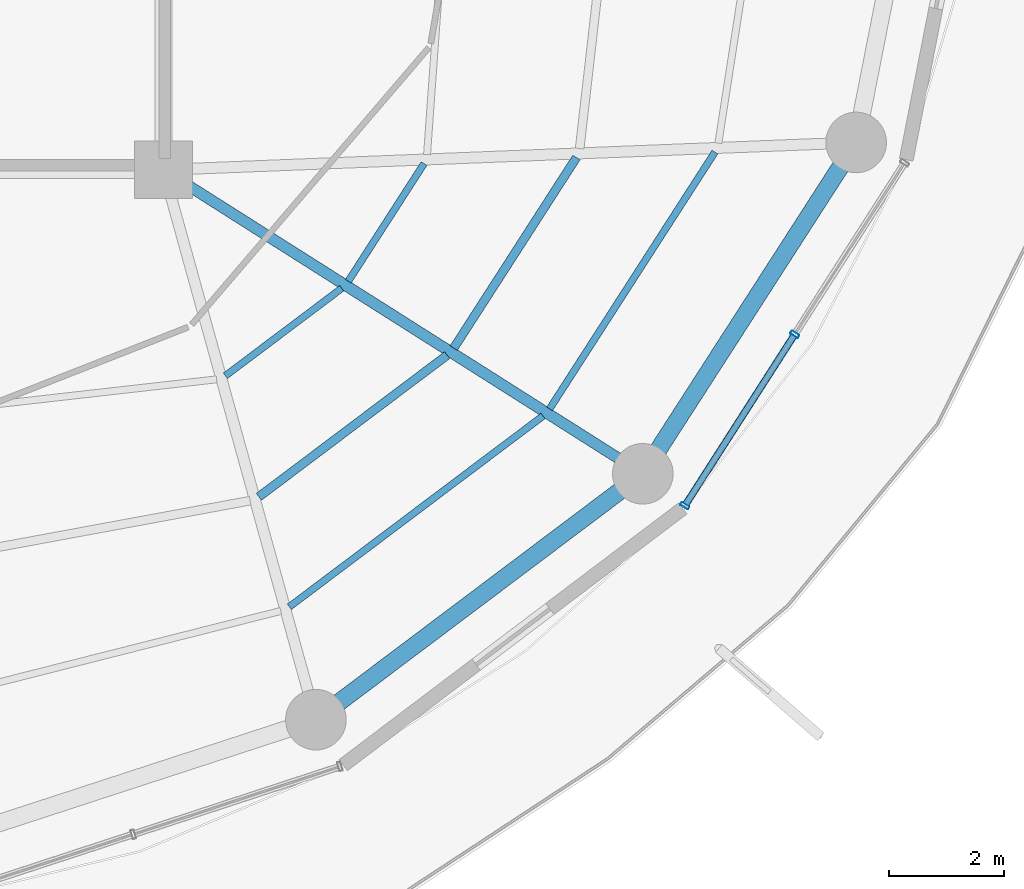
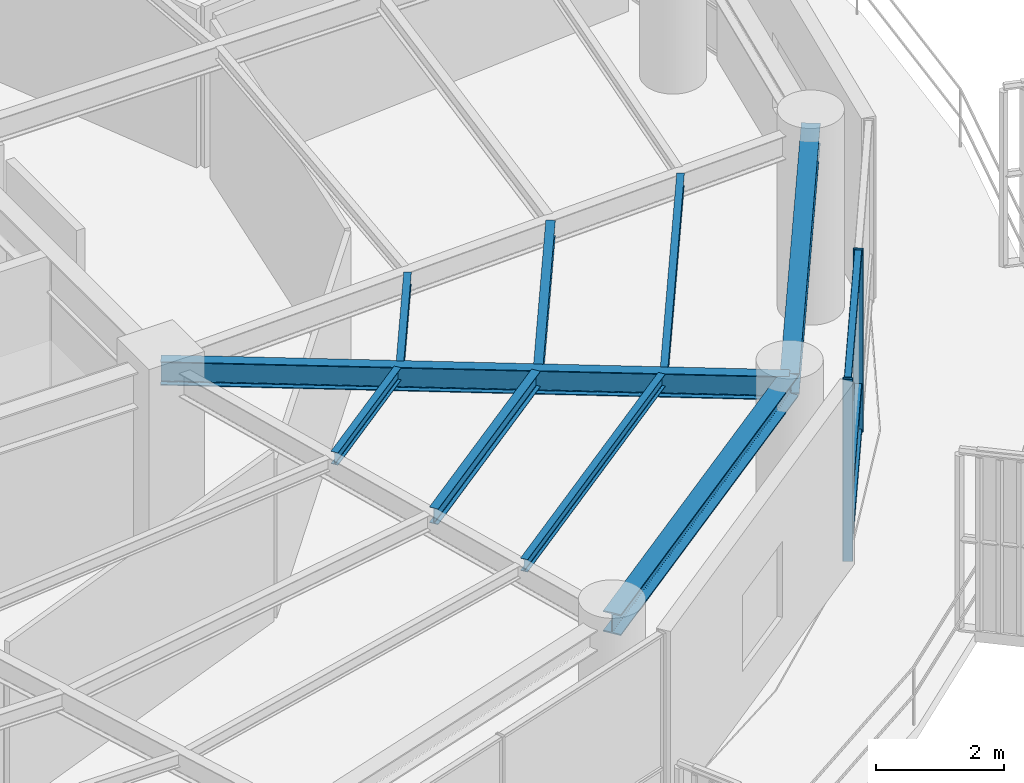
# One storey, part 11 of 30: 9 beams, 5 members, 1 element without a shape of its own.
"""IFC4 building model written with IfcOpenShell, lengths in metres."""

import ifcopenshell
import ifcopenshell.guid

model = None  # the IFC model being written
_history = None  # IfcOwnerHistory: only IFC2X3 demands one
_inside = {}  # id of a spatial element -> (the spatial element, [elements in it])
_under = {}  # id of a project, library or spatial element -> (it, [spatial elements below it])
_declared = {}  # id of a project -> (the project, [libraries it declares])
_typed = {}  # id of a type object -> (the type object, [elements of that type])
_made_of = {}  # id of a material, layer set ... -> (it, [elements and type objects made of it])


def new_model(schema):
    """Start an empty IFC model of exactly this schema.

    Asked for "IFC4X3", IfcOpenShell would pick the latest addendum, in which some entities
    have other attributes; the version numbers below select the first issue.
    IFC2X3 requires an IfcOwnerHistory on every rooted entity: one is made here for all.
    """
    global model, _history
    if schema == "IFC4X3":
        model = ifcopenshell.file(schema_version=(4, 3, 0, 0))
    else:
        model = ifcopenshell.file(schema=schema)
    _inside.clear()
    _under.clear()
    _declared.clear()
    _typed.clear()
    _made_of.clear()
    _history = None
    if model.schema == "IFC2X3":
        org = make("IfcOrganization", Name="unknown")
        user = make(
            "IfcPersonAndOrganization",
            ThePerson=make("IfcPerson", FamilyName="unknown"),
            TheOrganization=org,
        )
        app = make(
            "IfcApplication",
            ApplicationDeveloper=org,
            Version="unknown",
            ApplicationFullName="unknown",
            ApplicationIdentifier="unknown",
        )
        _history = make(
            "IfcOwnerHistory",
            OwningUser=user,
            OwningApplication=app,
            ChangeAction="ADDED",
            CreationDate=0,
        )
    return model


def make(cls, **values):
    """One entity of the class cls with the attributes given. An attribute that is None is left unset."""
    return model.create_entity(
        cls, **{name: value for name, value in values.items() if value is not None}
    )


def rooted(cls, **values):
    """An entity with a GlobalId (a new one), such as an element, a storey or a relation."""
    return make(cls, GlobalId=ifcopenshell.guid.new(), OwnerHistory=_history, **values)


def si_unit(unit_type, name, prefix=None):
    """IfcSIUnit, for example si_unit("LENGTHUNIT", "METRE", prefix="MILLI")."""
    return make("IfcSIUnit", UnitType=unit_type, Prefix=prefix, Name=name)


def assignment(units):
    """IfcUnitAssignment: the units of a project."""
    return None if units is None else make("IfcUnitAssignment", Units=units)


def point(xyz):
    """IfcCartesianPoint."""
    return None if xyz is None else make("IfcCartesianPoint", Coordinates=xyz)


def direction(xyz):
    """IfcDirection."""
    return None if xyz is None else make("IfcDirection", DirectionRatios=xyz)


def frame(location, z_axis=None, x_axis=None):
    """IfcAxis2Placement3D, a coordinate frame: its origin and axes. An axis left out is left unset."""
    return make(
        "IfcAxis2Placement3D",
        Location=point(location),
        Axis=direction(z_axis),
        RefDirection=direction(x_axis),
    )


def frame_2d(location, x_axis=None):
    """IfcAxis2Placement2D, a coordinate frame in the plane: its origin and x axis."""
    return make(
        "IfcAxis2Placement2D", Location=point(location), RefDirection=direction(x_axis)
    )


def origin():
    """The frame at (0, 0, 0) with its axes left unset."""
    return frame((0.0, 0.0, 0.0))


def origin_2d():
    """The frame at (0, 0) in the plane with its x axis left unset."""
    return frame_2d((0.0, 0.0))


def place(relative_to, where):
    """IfcLocalPlacement: puts the frame where relative to a parent placement (None: the world)."""
    return make(
        "IfcLocalPlacement", PlacementRelTo=relative_to, RelativePlacement=where
    )


def context(
    kind, dimensions, precision=None, world=None, true_north=None, identifier=None
):
    """IfcGeometricRepresentationContext, for example the 3D "Model" context."""
    return make(
        "IfcGeometricRepresentationContext",
        ContextIdentifier=identifier,
        ContextType=kind,
        CoordinateSpaceDimension=dimensions,
        Precision=precision,
        WorldCoordinateSystem=world,
        TrueNorth=true_north,
    )


def subcontext(parent, identifier, kind, view, scale=None):
    """IfcGeometricRepresentationSubContext, for example "Body" below "Model"."""
    return make(
        "IfcGeometricRepresentationSubContext",
        ContextIdentifier=identifier,
        ContextType=kind,
        ParentContext=parent,
        TargetScale=scale,
        TargetView=view,
    )


def project(units=None, contexts=None):
    """IfcProject with its units and contexts."""
    return rooted(
        "IfcProject",
        Name="project",
        RepresentationContexts=contexts,
        UnitsInContext=assignment(units),
    )


def spatial(cls, under=None, at=None, **own):
    """A site, building, storey or space (cls), placed at a placement, below another one or the project."""
    s = rooted(cls, ObjectPlacement=at, **own)
    if under is not None:
        _under.setdefault(under.id(), (under, []))[1].append(s)
    return s


def profile(cls, at=None, kind="AREA", **sizes):
    """A parametric profile (cls). Its sizes go by their IFC names, for example OverallWidth=200.0."""
    return make(cls, ProfileType=kind, Position=at, **sizes)


def hollow_rectangle(**sizes):
    """IfcRectangleHollowProfileDef."""
    return profile("IfcRectangleHollowProfileDef", **sizes)


def i_section(**sizes):
    """IfcIShapeProfileDef."""
    return profile("IfcIShapeProfileDef", **sizes)


def extrude(swept, where, along, depth):
    """IfcExtrudedAreaSolid: the profile swept, set in the frame where, extruded along a direction by depth."""
    return make(
        "IfcExtrudedAreaSolid",
        SweptArea=swept,
        Position=where,
        ExtrudedDirection=direction(along),
        Depth=depth,
    )


def shape(context_of_items, identifier, shape_type, items):
    """IfcShapeRepresentation: the items that make up one representation, for example the "Body"."""
    return make(
        "IfcShapeRepresentation",
        ContextOfItems=context_of_items,
        RepresentationIdentifier=identifier,
        RepresentationType=shape_type,
        Items=items,
    )


def material(Name=None, Category=None):
    """IfcMaterial."""
    return make("IfcMaterial", Name=Name, Category=Category)


def layer(
    of_material, thickness, ventilated=None, Name=None, Category=None, Priority=None
):
    """IfcMaterialLayer: one layer of a wall or slab, of a material (None: an air gap)."""
    return make(
        "IfcMaterialLayer",
        Material=of_material,
        LayerThickness=thickness,
        IsVentilated=ventilated,
        Name=Name,
        Category=Category,
        Priority=Priority,
    )


def layer_set(layers, Name=None):
    """IfcMaterialLayerSet."""
    return make("IfcMaterialLayerSet", MaterialLayers=layers, LayerSetName=Name)


def material_profile(
    of_material, cross_section, Name=None, Category=None, Priority=None
):
    """IfcMaterialProfile: a cross section and its material."""
    return make(
        "IfcMaterialProfile",
        Name=Name,
        Material=of_material,
        Profile=cross_section,
        Priority=Priority,
        Category=Category,
    )


def profile_set(profiles, Name=None, composite=None):
    """IfcMaterialProfileSet."""
    return make(
        "IfcMaterialProfileSet",
        Name=Name,
        MaterialProfiles=profiles,
        CompositeProfile=composite,
    )


def made_of(thing, what):
    """Note that an element or type object is made of a material, layer set ...; save() writes the relation."""
    if what is not None:
        _made_of.setdefault(what.id(), (what, []))[1].append(thing)
    return thing


def type_object(cls, material=None, **own):
    """A type object (cls), such as IfcWallType, which elements share."""
    return made_of(rooted(cls, **own), material)


def element(
    cls,
    number,
    at=None,
    inside=None,
    cuts=None,
    type_object=None,
    material=None,
    context=None,
    identifier="Body",
    shape_type=None,
    held_by="IfcProductDefinitionShape",
    body=None,
    shapes=None,
    **own,
):
    """One element of the class cls, such as IfcWall. Its Tag is "e" and its number.

    at: its placement. inside: the storey or other place that contains it. cuts: it is an
    opening in that element (IfcRelVoidsElement). A single representation is given by context,
    identifier, shape_type and body (its items); several are given by shapes. held_by: the class
    of the entity that holds the representations. save() writes the other relations.
    """
    e = rooted(cls, Tag="e%d" % number, ObjectPlacement=at, **own)
    if body is not None:
        shapes = [shape(context, identifier, shape_type, body)]
    if shapes is not None:
        e.Representation = make(held_by, Representations=shapes)
    if inside is not None:
        _inside.setdefault(inside.id(), (inside, []))[1].append(e)
    if cuts is not None:
        rooted(
            "IfcRelVoidsElement", RelatingBuildingElement=cuts, RelatedOpeningElement=e
        )
    if type_object is not None:
        _typed.setdefault(type_object.id(), (type_object, []))[1].append(e)
    return made_of(e, material)


def aggregate(whole, parts):
    """IfcRelAggregates: a whole, such as a stair, and the parts it consists of."""
    return rooted("IfcRelAggregates", RelatingObject=whole, RelatedObjects=parts)


def save(model, path):
    """Write the relations noted so far, then the file.

    IfcRelAggregates (storeys below a building ...), IfcRelContainedInSpatialStructure (elements
    in a storey), IfcRelDefinesByType, IfcRelAssociatesMaterial and IfcRelDeclares: one each for
    every whole, place, type object, material and project.
    """
    for whole, parts in _under.values():
        aggregate(whole, parts)
    for where, things in _inside.values():
        rooted(
            "IfcRelContainedInSpatialStructure",
            RelatedElements=things,
            RelatingStructure=where,
        )
    for kind, things in _typed.values():
        rooted("IfcRelDefinesByType", RelatedObjects=things, RelatingType=kind)
    for what, things in _made_of.values():
        rooted("IfcRelAssociatesMaterial", RelatedObjects=things, RelatingMaterial=what)
    for by, libraries in _declared.values():
        rooted("IfcRelDeclares", RelatingContext=by, RelatedDefinitions=libraries)
    model.write(path)


model = new_model("IFC4")

# Units and contexts
model_context = context("Model", 3, precision=1e-05, world=origin(), true_north=direction((0.0, 1.0)))
body_context = subcontext(model_context, "Body", "Model", "MODEL_VIEW")
ifc_project = project(units=[si_unit("LENGTHUNIT", "METRE"), si_unit("AREAUNIT", "SQUARE_METRE"), si_unit("VOLUMEUNIT", "CUBIC_METRE"), si_unit("PLANEANGLEUNIT", "RADIAN"), si_unit("MASSUNIT", "GRAM", prefix="KILO")], contexts=[model_context])

# Site, building, storey
site_placement = place(None, origin())
site = spatial("IfcSite", under=ifc_project, at=site_placement, CompositionType="ELEMENT")
building_placement = place(site_placement, origin())
building = spatial("IfcBuilding", under=site, at=building_placement, Name="Kelanora Arch Commons", CompositionType="ELEMENT")
storey_placement = place(building_placement, frame((0.0, 0.0, 234.449951171875)))
storey = spatial("IfcBuildingStorey", under=building, at=storey_placement, Name="L60", CompositionType="ELEMENT", Elevation=234.449951171875)

# Beams
ifc_material_1 = material(Name="Steel S355", Category="steel")
ifc_material_profile_1 = material_profile(ifc_material_1, i_section(OverallWidth=0.14990234375, OverallDepth=0.300048828125, WebThickness=0.007080078125, FlangeThickness=0.0107421875, FilletRadius=0.014892578125, at=origin_2d()), Name="IPE300")
ifc_profile_set_1 = profile_set([ifc_material_profile_1], Name="Steel S355")
beam_type_1 = type_object("IfcBeamType", Name="BM-JST-01", PredefinedType="JOIST", material=ifc_profile_set_1)
beam_1_placement = place(storey_placement, frame((83.65185546875, 45.3369140625, 3.340087890625), z_axis=(0.799101708656, 0.601195857624, 0.0), x_axis=(-0.601195857624, 0.799101708656, 0.0)))
element("IfcBeam", 1, at=beam_1_placement, inside=storey, type_object=beam_type_1, Name="Secondary Chord Joist BJB-30 L60", PredefinedType="JOIST", context=body_context, shape_type="SweptSolid", body=[
    extrude(i_section(OverallWidth=0.14990234375, OverallDepth=0.300048828125, WebThickness=0.007080078125, FlangeThickness=0.0107421875, FilletRadius=0.014892578125, at=origin_2d()), origin(), (0.0, 0.0, 1.0), 4.080810546875),
])
beam_2_placement = place(storey_placement, frame((87.02685546875, 47.912841796875, 3.340087890625), z_axis=(0.541411265892, 0.840757896879, 0.0), x_axis=(-0.840757896879, 0.541411265892, 0.0)))
element("IfcBeam", 2, at=beam_2_placement, inside=storey, type_object=beam_type_1, Name="Secondary Chord Joist BJB-32 L60", PredefinedType="JOIST", context=body_context, shape_type="SweptSolid", body=[
    extrude(i_section(OverallWidth=0.14990234375, OverallDepth=0.300048828125, WebThickness=0.007080078125, FlangeThickness=0.0107421875, FilletRadius=0.014892578125, at=origin_2d()), origin(), (0.0, 0.0, 1.0), 3.92529296875),
])
ifc_material_profile_2 = material_profile(ifc_material_1, i_section(OverallWidth=0.1201171875, OverallDepth=0.239990234375, WebThickness=0.006103515625, FlangeThickness=0.009765625, FilletRadius=0.014892578125, at=origin_2d()), Name="IPE240")
ifc_profile_set_2 = profile_set([ifc_material_profile_2], Name="Steel S355")
beam_type_2 = type_object("IfcBeamType", Name="BM-JST-02", PredefinedType="JOIST", material=ifc_profile_set_2)
beam_3_placement = place(storey_placement, frame((83.071044921875, 47.43212890625, 3.3701171875), z_axis=(0.79911638933, 0.601176343766, 0.0), x_axis=(-0.601176343766, 0.79911638933, 0.0)))
element("IfcBeam", 3, at=beam_3_placement, inside=storey, type_object=beam_type_2, Name="Secondary Chord Joist BJA-30 L60", PredefinedType="JOIST", context=body_context, shape_type="SweptSolid", body=[
    extrude(i_section(OverallWidth=0.1201171875, OverallDepth=0.239990234375, WebThickness=0.006103515625, FlangeThickness=0.009765625, FilletRadius=0.014892578125, at=origin_2d()), origin(), (0.0, 0.0, 1.0), 2.522216796875),
])
beam_4_placement = place(storey_placement, frame((84.179931640625, 43.43212890625, 3.3701171875), z_axis=(0.799109197935, 0.601185902842, 0.0), x_axis=(-0.601185902842, 0.799109197935, 0.0)))
element("IfcBeam", 4, at=beam_4_placement, inside=storey, type_object=beam_type_2, Name="Secondary Chord Joist BJC-30 L60", PredefinedType="JOIST", context=body_context, shape_type="SweptSolid", body=[
    extrude(i_section(OverallWidth=0.1201171875, OverallDepth=0.239990234375, WebThickness=0.006103515625, FlangeThickness=0.009765625, FilletRadius=0.014892578125, at=origin_2d()), origin(), (0.0, 0.0, 1.0), 5.497802734375),
])
beam_5_placement = place(storey_placement, frame((85.20068359375, 49.071044921875, 3.3701171875), z_axis=(0.541332763503, 0.840808443796, 0.0), x_axis=(-0.840808443796, 0.541332763503, 0.0)))
element("IfcBeam", 5, at=beam_5_placement, inside=storey, type_object=beam_type_2, Name="Secondary Chord Joist BJA-32 L60", PredefinedType="JOIST", context=body_context, shape_type="SweptSolid", body=[
    extrude(i_section(OverallWidth=0.1201171875, OverallDepth=0.239990234375, WebThickness=0.006103515625, FlangeThickness=0.009765625, FilletRadius=0.014892578125, at=origin_2d()), origin(), (0.0, 0.0, 1.0), 2.423583984375),
])
beam_6_placement = place(storey_placement, frame((88.68701171875, 46.85986328125, 3.3701171875), z_axis=(0.541382492679, 0.840776424872, 0.0), x_axis=(-0.840776424872, 0.541382492679, 0.0)))
element("IfcBeam", 6, at=beam_6_placement, inside=storey, type_object=beam_type_2, Name="Secondary Chord Joist BJC-32 L60", PredefinedType="JOIST", context=body_context, shape_type="SweptSolid", body=[
    extrude(i_section(OverallWidth=0.1201171875, OverallDepth=0.239990234375, WebThickness=0.006103515625, FlangeThickness=0.009765625, FilletRadius=0.014892578125, at=origin_2d()), origin(), (0.0, 0.0, 1.0), 5.29052734375),
])
ifc_material_profile_3 = material_profile(ifc_material_1, i_section(OverallWidth=0.18994140625, OverallDepth=0.449951171875, WebThickness=0.009521484375, FlangeThickness=0.0146484375, FilletRadius=0.02099609375, at=origin_2d()), Name="IPE450")
ifc_profile_set_3 = profile_set([ifc_material_profile_3], Name="Steel S355")
beam_type_3 = type_object("IfcBeamType", Name="BM-RAD-Z4", PredefinedType="BEAM", material=ifc_profile_set_3)
beam_7_placement = place(storey_placement, frame((82.0, 51.0, 3.26513671875), z_axis=(0.844507208607, -0.535544185489, 0.0), x_axis=(0.535544185489, 0.844507208607, 0.0)))
element("IfcBeam", 7, at=beam_7_placement, inside=storey, type_object=beam_type_3, Name="Radial Floor Girder BR-32 L60", PredefinedType="BEAM", context=body_context, shape_type="SweptSolid", body=[
    extrude(i_section(OverallWidth=0.18994140625, OverallDepth=0.449951171875, WebThickness=0.009521484375, FlangeThickness=0.0146484375, FilletRadius=0.02099609375, at=origin_2d()), origin(), (0.0, 0.0, 1.0), 9.830078125),
])
ifc_material_profile_4 = material_profile(ifc_material_1, i_section(OverallWidth=0.300048828125, OverallDepth=0.39990234375, WebThickness=0.013427734375, FlangeThickness=0.02392578125, FilletRadius=0.027099609375, at=origin_2d()), Name="HEB400")
ifc_profile_set_4 = profile_set([ifc_material_profile_4], Name="Steel S355")
beam_type_4 = type_object("IfcBeamType", Name="BM-SPN-Z4", PredefinedType="SPANDREL", material=ifc_profile_set_4)
beam_8_placement = place(storey_placement, frame((84.639892578125, 41.476318359375, 3.2900390625), z_axis=(0.799114211715, 0.60117923836, 0.0), x_axis=(-0.60117923836, 0.799114211715, 0.0)))
element("IfcBeam", 8, at=beam_8_placement, inside=storey, type_object=beam_type_4, Name="Perimeter Spandrel Beam BS-30 L60", PredefinedType="SPANDREL", context=body_context, shape_type="SweptSolid", body=[
    extrude(i_section(OverallWidth=0.300048828125, OverallDepth=0.39990234375, WebThickness=0.013427734375, FlangeThickness=0.02392578125, FilletRadius=0.027099609375, at=origin_2d()), origin(), (0.0, 0.0, 1.0), 7.0849609375),
])
beam_9_placement = place(storey_placement, frame((90.301513671875, 45.735595703125, 3.2900390625), z_axis=(0.541364878868, 0.840787766281, 0.0), x_axis=(-0.840787766281, 0.541364878868, 0.0)))
element("IfcBeam", 9, at=beam_9_placement, inside=storey, type_object=beam_type_4, Name="Perimeter Spandrel Beam BS-32 L60", PredefinedType="SPANDREL", context=body_context, shape_type="SweptSolid", body=[
    extrude(i_section(OverallWidth=0.300048828125, OverallDepth=0.39990234375, WebThickness=0.013427734375, FlangeThickness=0.02392578125, FilletRadius=0.027099609375, at=origin_2d()), origin(), (0.0, 0.0, 1.0), 6.825439453125),
])

# Curtain wall, members
ifc_material_2 = material(Name="Terracotta ceramic-fritted low-E glass and aluminium", Category="masonry")
ifc_layer = layer(ifc_material_2, 0.175048828125)
ifc_layer_set = layer_set([ifc_layer], Name="Terracotta ceramic-fritted low-E glass and aluminium")
curtain_wall_type = type_object("IfcCurtainWallType", Name="CW-SYS-02", PredefinedType="NOTDEFINED", material=ifc_layer_set)
curtain_wall_placement = place(storey_placement, origin())
curtain_wall = element("IfcCurtainWall", 10, at=curtain_wall_placement, inside=storey, type_object=curtain_wall_type, Name="Unitised Curtain Wall L60-B16", PredefinedType="NOTDEFINED")
ifc_material_3 = material(Name="Powder-coated aluminium terracotta", Category="masonry")
ifc_material_profile_5 = material_profile(ifc_material_3, hollow_rectangle(XDim=0.159912109375, YDim=0.06005859375, WallThickness=0.0048828125, InnerFilletRadius=0.0048828125, OuterFilletRadius=0.010009765625, at=origin_2d()), Name="CWM160x60")
ifc_profile_set_5 = profile_set([ifc_material_profile_5], Name="Powder-coated aluminium terracotta")
member_type_1 = type_object("IfcMemberType", Name="CWM-STD", PredefinedType="MULLION", material=ifc_profile_set_5)
member_1_placement = place(storey_placement, frame((91.030517578125, 45.18212890625, 0.0), z_axis=(0.0, 0.0, 1.0), x_axis=(-0.84194757539, 0.539559338994, 0.0)))
member_1 = element("IfcMember", 11, at=member_1_placement, type_object=member_type_1, Name="CW-02 mullion 1", PredefinedType="MULLION", context=body_context, shape_type="SweptSolid", body=[
    extrude(hollow_rectangle(XDim=0.159912109375, YDim=0.06005859375, WallThickness=0.0048828125, InnerFilletRadius=0.0048828125, OuterFilletRadius=0.010009765625, at=origin_2d()), origin(), (0.0, 0.0, 1.0), 3.47509765625),
])
member_2_placement = place(storey_placement, frame((92.93359375, 48.15185546875, 0.0), z_axis=(0.0, 0.0, 1.0), x_axis=(-0.84194757539, 0.539559338994, 0.0)))
member_2 = element("IfcMember", 12, at=member_2_placement, type_object=member_type_1, Name="CW-02 mullion 2", PredefinedType="MULLION", context=body_context, shape_type="SweptSolid", body=[
    extrude(hollow_rectangle(XDim=0.159912109375, YDim=0.06005859375, WallThickness=0.0048828125, InnerFilletRadius=0.0048828125, OuterFilletRadius=0.010009765625, at=origin_2d()), origin(), (0.0, 0.0, 1.0), 3.47509765625),
])
ifc_material_profile_6 = material_profile(ifc_material_3, hollow_rectangle(XDim=0.1201171875, YDim=0.06005859375, WallThickness=0.0048828125, InnerFilletRadius=0.0048828125, OuterFilletRadius=0.010009765625, at=origin_2d()), Name="CWT120x60")
ifc_profile_set_6 = profile_set([ifc_material_profile_6], Name="Powder-coated aluminium terracotta")
member_type_2 = type_object("IfcMemberType", Name="CWT-STD", PredefinedType="USERDEFINED", material=ifc_profile_set_6)
member_3_placement = place(storey_placement, frame((91.046630859375, 45.207275390625, 0.030029296875), z_axis=(0.53954710894, 0.841955412854, 0.0), x_axis=(-0.841955412854, 0.53954710894, 0.0)))
member_3 = element("IfcMember", 13, at=member_3_placement, type_object=member_type_2, Name="CW-02 transom 1.1", ObjectType="TRANSOM", PredefinedType="USERDEFINED", context=body_context, shape_type="SweptSolid", body=[
    extrude(hollow_rectangle(XDim=0.1201171875, YDim=0.06005859375, WallThickness=0.0048828125, InnerFilletRadius=0.0048828125, OuterFilletRadius=0.010009765625, at=origin_2d()), origin(), (0.0, 0.0, 1.0), 3.467529296875),
])
member_4_placement = place(storey_placement, frame((91.046630859375, 45.207275390625, 0.900146484375), z_axis=(0.53954710894, 0.841955412854, 0.0), x_axis=(-0.841955412854, 0.53954710894, 0.0)))
member_4 = element("IfcMember", 14, at=member_4_placement, type_object=member_type_2, Name="CW-02 transom 1.2", ObjectType="TRANSOM", PredefinedType="USERDEFINED", context=body_context, shape_type="SweptSolid", body=[
    extrude(hollow_rectangle(XDim=0.1201171875, YDim=0.06005859375, WallThickness=0.0048828125, InnerFilletRadius=0.0048828125, OuterFilletRadius=0.010009765625, at=origin_2d()), origin(), (0.0, 0.0, 1.0), 3.467529296875),
])
member_5_placement = place(storey_placement, frame((91.046630859375, 45.207275390625, 3.445068359375), z_axis=(0.53954710894, 0.841955412854, 0.0), x_axis=(-0.841955412854, 0.53954710894, 0.0)))
member_5 = element("IfcMember", 15, at=member_5_placement, type_object=member_type_2, Name="CW-02 transom 1.3", ObjectType="TRANSOM", PredefinedType="USERDEFINED", context=body_context, shape_type="SweptSolid", body=[
    extrude(hollow_rectangle(XDim=0.1201171875, YDim=0.06005859375, WallThickness=0.0048828125, InnerFilletRadius=0.0048828125, OuterFilletRadius=0.010009765625, at=origin_2d()), origin(), (0.0, 0.0, 1.0), 3.467529296875),
])
aggregate(curtain_wall, [member_1, member_2, member_3, member_4, member_5])

save(model, "model.ifc")
